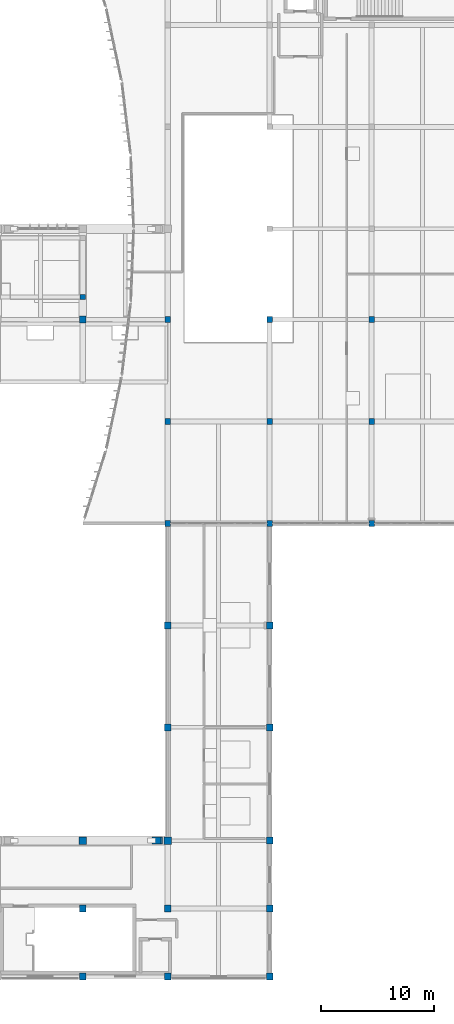
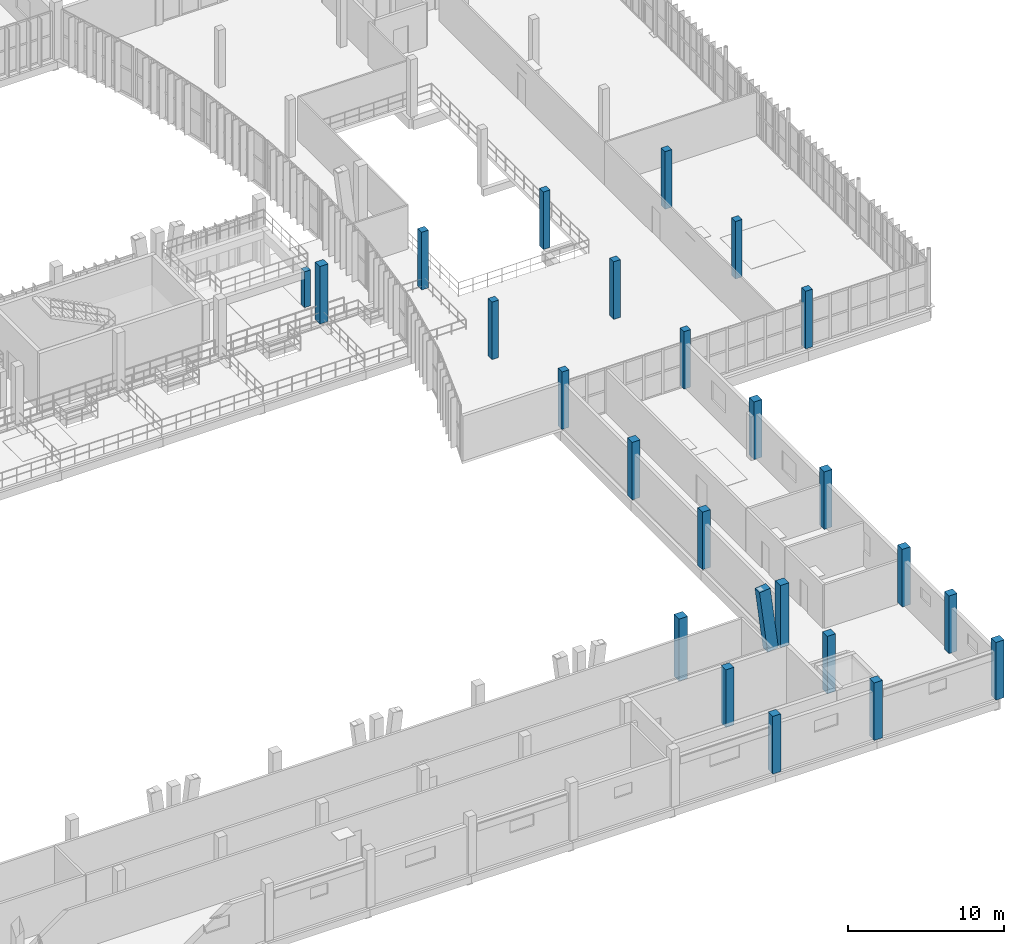
# One storey, part 3 of 81: 25 columns.
"""IFC4 building model written with IfcOpenShell, lengths in metres."""

from ifc_helpers import new_model, si_unit, direction, frame, origin, origin_2d, place, context, subcontext, project, spatial, rectangle, extrude, material, material_profile, profile_set, type_object, element, save


model = new_model("IFC4")

# Units and contexts
model_context = context("Model", 3, precision=1e-05, world=origin(), true_north=direction((0.0, 1.0)))
body_context = subcontext(model_context, "Body", "Model", "MODEL_VIEW")
ifc_project = project(units=[si_unit("LENGTHUNIT", "METRE"), si_unit("AREAUNIT", "SQUARE_METRE"), si_unit("VOLUMEUNIT", "CUBIC_METRE"), si_unit("PLANEANGLEUNIT", "RADIAN"), si_unit("MASSUNIT", "GRAM", prefix="KILO")], contexts=[model_context])

# Site, building, storey
site_placement = place(None, origin())
site = spatial("IfcSite", under=ifc_project, at=site_placement, CompositionType="ELEMENT")
building_placement = place(site_placement, origin())
building = spatial("IfcBuilding", under=site, at=building_placement, Name="Vourika Railside Aquatics Centre", CompositionType="ELEMENT")
storey_placement = place(building_placement, frame((0.0, 0.0, 4.800048828125)))
storey = spatial("IfcBuildingStorey", under=building, at=storey_placement, Name="L01", CompositionType="ELEMENT", Elevation=4.800048828125)

# Columns
ifc_material_1 = material(Name="Concrete C40/50", Category="concrete")
ifc_material_profile_1 = material_profile(ifc_material_1, rectangle(XDim=0.60009765625, YDim=0.800048828125, at=origin_2d()), Name="RC 600x800")
ifc_profile_set_1 = profile_set([ifc_material_profile_1], Name="Concrete C40/50")
column_type_1 = type_object("IfcColumnType", Name="COL-PIER-V", PredefinedType="USERDEFINED", material=ifc_profile_set_1)
column_1_placement = place(storey_placement, frame((140.14990234375, 12.0, 0.0), z_axis=(-0.122749528587, 0.0, 0.992437682291), x_axis=(0.0, -1.0, 0.0)))
element("IfcColumn", 1, at=column_1_placement, inside=storey, type_object=column_type_1, Name="V-Splayed Vault Pier 141/12-W", ObjectType="SPLAYED PIER", PredefinedType="USERDEFINED", context=body_context, shape_type="SweptSolid", body=[
    extrude(rectangle(XDim=0.60009765625, YDim=0.800048828125, at=origin_2d()), origin(), (0.0, 0.0, 1.0), 4.88671875),
])
ifc_material_2 = material(Name="Concrete C35/45", Category="concrete")
ifc_material_profile_2 = material_profile(ifc_material_2, rectangle(XDim=0.449951171875, YDim=0.449951171875, at=origin_2d()), Name="RC 450x450")
ifc_profile_set_2 = profile_set([ifc_material_profile_2], Name="Concrete C35/45")
column_type_2 = type_object("IfcColumnType", Name="COL-RC450", PredefinedType="COLUMN", material=ifc_profile_set_2)
column_2_placement = place(storey_placement, frame((133.5, 60.0, 0.0), z_axis=(0.0, 0.0, 1.0), x_axis=(1.0, 0.0, 0.0)))
element("IfcColumn", 2, at=column_2_placement, inside=storey, type_object=column_type_2, Name="Upper Stand Front Column 133.5", PredefinedType="COLUMN", context=body_context, shape_type="SweptSolid", body=[
    extrude(rectangle(XDim=0.449951171875, YDim=0.449951171875, at=origin_2d()), origin(), (0.0, 0.0, 1.0), 2.804931640625),
])
ifc_material_profile_3 = material_profile(ifc_material_2, rectangle(XDim=0.5, YDim=0.5, at=origin_2d()), Name="RC 500x500")
ifc_profile_set_3 = profile_set([ifc_material_profile_3], Name="Concrete C35/45")
column_type_3 = type_object("IfcColumnType", Name="COL-RC500", PredefinedType="COLUMN", material=ifc_profile_set_3)
for number, where, z_axis, x_axis, name in (
    (3, (141.0, 40.0, 0.0), (0.0, 0.0, 1.0), (1.0, 0.0, 0.0), "Column col:L01:1410_400"),
    (4, (141.0, 49.0, 0.0), (0.0, 0.0, 1.0), (1.0, 0.0, 0.0), "Column col:L01:1410_490"),
    (5, (141.0, 58.0, 0.0), (0.0, 0.0, 1.0), (1.0, 0.0, 0.0), "Column col:L01:1410_580"),
    (6, (150.0, 40.0, 0.0), (0.0, 0.0, 1.0), (1.0, 0.0, 0.0), "Column col:L01:1500_400"),
    (7, (150.0, 49.0, 0.0), (0.0, 0.0, 1.0), (1.0, 0.0, 0.0), "Column col:L01:1500_490"),
    (8, (150.0, 58.0, 0.0), (0.0, 0.0, 1.0), (1.0, 0.0, 0.0), "Column col:L01:1500_580"),
    (9, (159.0, 40.0, 0.0), (0.0, 0.0, 1.0), (1.0, 0.0, 0.0), "Column col:L01:1590_400"),
    (10, (159.0, 49.0, 0.0), (0.0, 0.0, 1.0), (1.0, 0.0, 0.0), "Column col:L01:1590_490"),
    (11, (159.0, 58.0, 0.0), (0.0, 0.0, 1.0), (1.0, 0.0, 0.0), "Column col:L01:1590_580"),
):
    element("IfcColumn", number, at=place(storey_placement, frame(where, z_axis=z_axis, x_axis=x_axis)), inside=storey, type_object=column_type_3, Name=name, PredefinedType="COLUMN", context=body_context, shape_type="SweptSolid", body=[
        extrude(rectangle(XDim=0.5, YDim=0.5, at=origin_2d()), origin(), (0.0, 0.0, 1.0), 4.5),
    ])
ifc_material_profile_4 = material_profile(ifc_material_1, rectangle(XDim=0.60009765625, YDim=0.60009765625, at=origin_2d()), Name="RC 600x600")
ifc_profile_set_4 = profile_set([ifc_material_profile_4], Name="Concrete C40/50")
column_type_4 = type_object("IfcColumnType", Name="COL-RC600", PredefinedType="COLUMN", material=ifc_profile_set_4)
for number, where, z_axis, x_axis, name in (
    (12, (133.5, 0.0, 0.0), (0.0, 0.0, 1.0), (1.0, 0.0, 0.0), "Column col:L01:1335_0"),
    (13, (133.5, 6.0, 0.0), (0.0, 0.0, 1.0), (1.0, 0.0, 0.0), "Column col:L01:1335_60"),
    (14, (133.5, 58.0, 0.0), (0.0, 0.0, 1.0), (1.0, 0.0, 0.0), "Column col:L01:1335_580"),
    (15, (141.0, 0.0, 0.0), (0.0, 0.0, 1.0), (1.0, 0.0, 0.0), "Column col:L01:1410_0"),
    (16, (141.0, 6.0, 0.0), (0.0, 0.0, 1.0), (1.0, 0.0, 0.0), "Column col:L01:1410_60"),
    (17, (141.0, 22.0, 0.0), (0.0, 0.0, 1.0), (1.0, 0.0, 0.0), "Column col:L01:1410_220"),
    (18, (141.0, 31.0, 0.0), (0.0, 0.0, 1.0), (1.0, 0.0, 0.0), "Column col:L01:1410_310"),
    (19, (150.0, 0.0, 0.0), (0.0, 0.0, 1.0), (1.0, 0.0, 0.0), "Column col:L01:1500_0"),
    (20, (150.0, 6.0, 0.0), (0.0, 0.0, 1.0), (1.0, 0.0, 0.0), "Column col:L01:1500_60"),
    (21, (150.0, 12.0, 0.0), (0.0, 0.0, 1.0), (1.0, 0.0, 0.0), "Column col:L01:1500_120"),
    (22, (150.0, 22.0, 0.0), (0.0, 0.0, 1.0), (1.0, 0.0, 0.0), "Column col:L01:1500_220"),
    (23, (150.0, 31.0, 0.0), (0.0, 0.0, 1.0), (1.0, 0.0, 0.0), "Column col:L01:1500_310"),
):
    element("IfcColumn", number, at=place(storey_placement, frame(where, z_axis=z_axis, x_axis=x_axis)), inside=storey, type_object=column_type_4, Name=name, PredefinedType="COLUMN", context=body_context, shape_type="SweptSolid", body=[
        extrude(rectangle(XDim=0.60009765625, YDim=0.60009765625, at=origin_2d()), origin(), (0.0, 0.0, 1.0), 4.5),
    ])
ifc_material_profile_5 = material_profile(ifc_material_1, rectangle(XDim=0.64990234375, YDim=0.64990234375, at=origin_2d()), Name="RC 650x650")
ifc_profile_set_5 = profile_set([ifc_material_profile_5], Name="Concrete C40/50")
column_type_5 = type_object("IfcColumnType", Name="COL-RC650", PredefinedType="COLUMN", material=ifc_profile_set_5)
for number, where, z_axis, x_axis, name in (
    (24, (133.5, 12.0, 0.0), (0.0, 0.0, 1.0), (1.0, 0.0, 0.0), "Column col:L01:1335_120"),
    (25, (141.0, 12.0, 0.0), (0.0, 0.0, 1.0), (1.0, 0.0, 0.0), "Column col:L01:1410_120"),
):
    element("IfcColumn", number, at=place(storey_placement, frame(where, z_axis=z_axis, x_axis=x_axis)), inside=storey, type_object=column_type_5, Name=name, PredefinedType="COLUMN", context=body_context, shape_type="SweptSolid", body=[
        extrude(rectangle(XDim=0.64990234375, YDim=0.64990234375, at=origin_2d()), origin(), (0.0, 0.0, 1.0), 4.849853515625),
    ])

save(model, "model.ifc")
